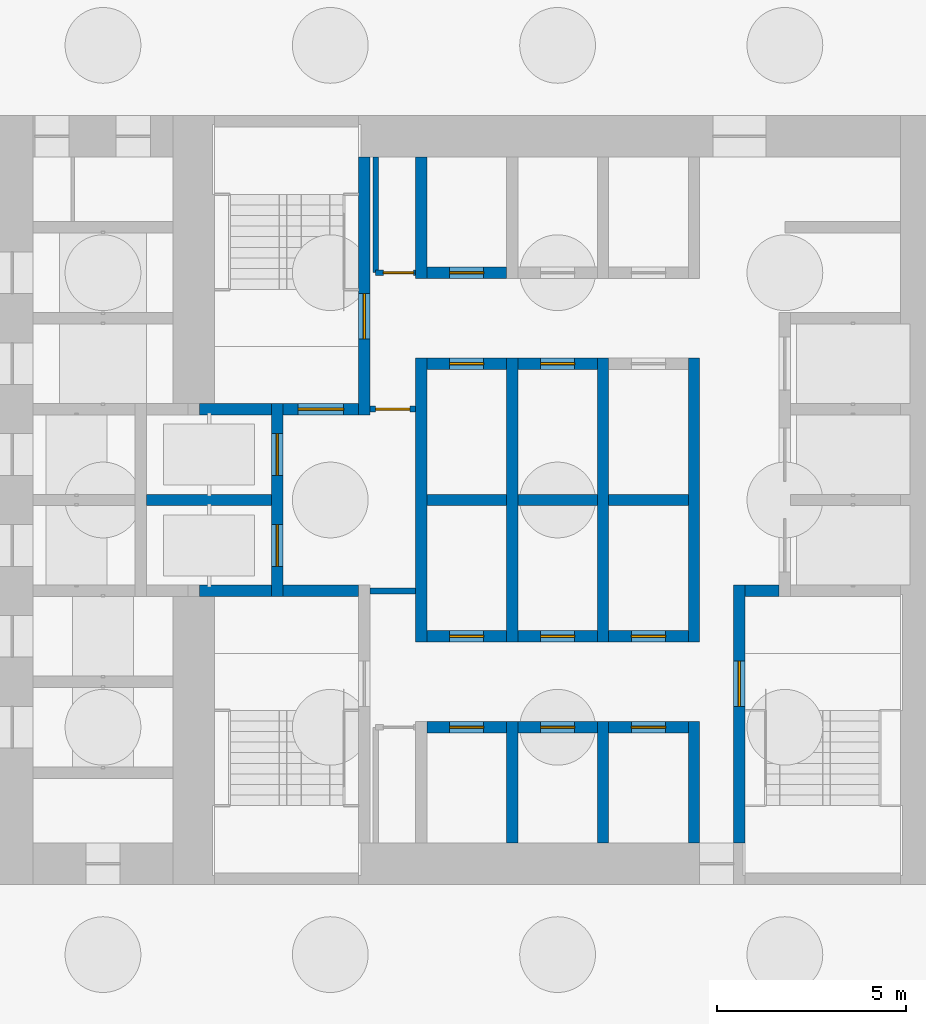
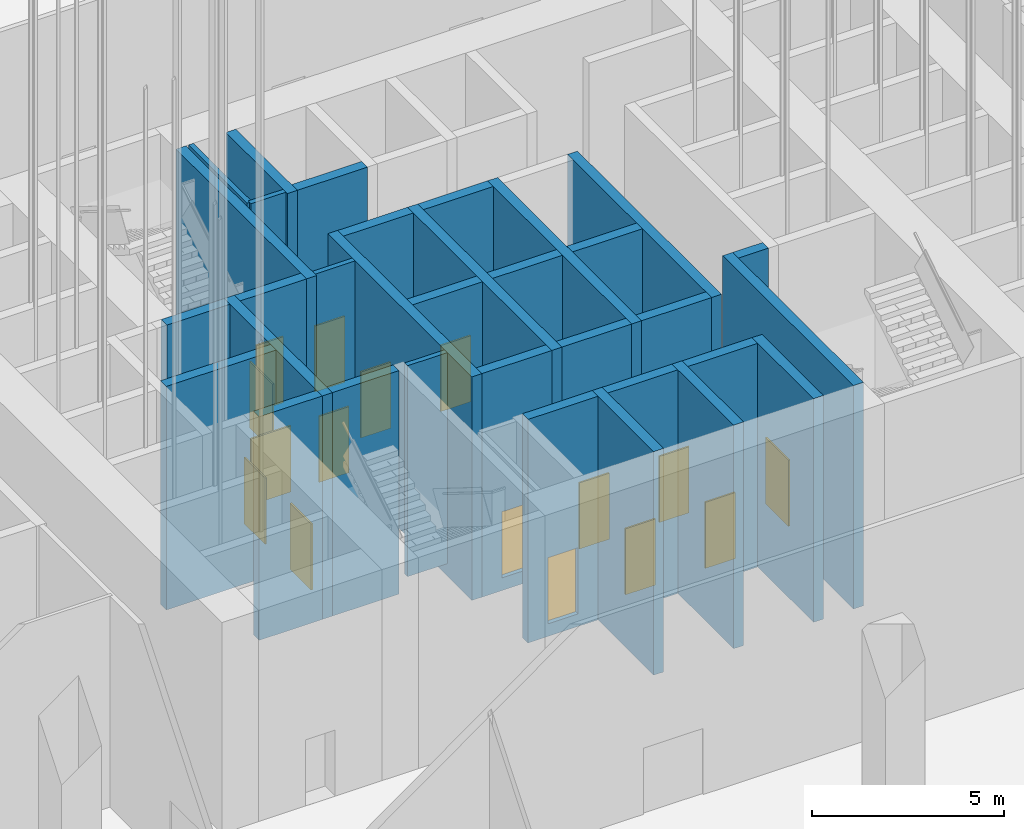
# One storey, part 15 of 68: 33 walls, 16 doors, 16 openings.
"""IFC4 building model written with IfcOpenShell, lengths in metres."""

from ifc_helpers import new_model, si_unit, direction, frame, frame_2d, origin, place, context, subcontext, project, spatial, rectangle, extrude, material, layer, layer_set, type_object, element, fill, save


model = new_model("IFC4")

# Units and contexts
model_context = context("Model", 3, precision=1e-05, world=origin(), true_north=direction((0.0, 1.0)))
body_context = subcontext(model_context, "Body", "Model", "MODEL_VIEW")
ifc_project = project(units=[si_unit("LENGTHUNIT", "METRE"), si_unit("AREAUNIT", "SQUARE_METRE"), si_unit("VOLUMEUNIT", "CUBIC_METRE"), si_unit("PLANEANGLEUNIT", "RADIAN"), si_unit("MASSUNIT", "GRAM", prefix="KILO")], contexts=[model_context])

# Site, building, storey
site_placement = place(None, origin())
site = spatial("IfcSite", under=ifc_project, at=site_placement, CompositionType="ELEMENT")
building_placement = place(site_placement, origin())
building = spatial("IfcBuilding", under=site, at=building_placement, Name="Kolab Exchange Tower", CompositionType="ELEMENT")
storey_placement = place(building_placement, origin())
storey = spatial("IfcBuildingStorey", under=building, at=storey_placement, Name="L00", CompositionType="ELEMENT", Elevation=0.0)

# Wall, opening, door
ifc_material_1 = material(Name="Concrete C50/60", Category="concrete")
ifc_layer_1 = layer(ifc_material_1, 0.300048828125)
ifc_layer_set_1 = layer_set([ifc_layer_1], Name="Concrete C50/60")
wall_type_1 = type_object("IfcWallType", Name="LIFT SHAFT WALL 300 C50/60", PredefinedType="STANDARD", material=ifc_layer_set_1)
wall_1_placement = place(storey_placement, frame((-3.449951171875, -6.0, -0.39990234375), z_axis=(0.0, 0.0, 1.0), x_axis=(1.0, 0.0, 0.0)))
wall_1 = element("IfcWall", 1, at=wall_1_placement, inside=storey, type_object=wall_type_1, Name="wall/L00/core/007", PredefinedType="STANDARD", context=body_context, shape_type="SweptSolid", body=[
    extrude(rectangle(XDim=2.099853515625, YDim=0.300048828125, at=frame_2d((1.0498046875, 0.0))), origin(), (0.0, 0.0, 1.0), 7.099853515625),
])
opening_1_placement = place(wall_1_placement, frame((0.60009765625, 0.0, 0.39990234375)))
opening_1 = element("IfcOpeningElement", 2, at=opening_1_placement, cuts=wall_1, Name="Opening D6-012", PredefinedType="OPENING", context=body_context, shape_type="SweptSolid", body=[
    extrude(rectangle(XDim=0.89990234375, YDim=2.10009765625, at=frame_2d((0.449951171875, 1.050048828125))), frame((0.0, 0.16015625, 0.0), z_axis=(0.0, -1.0, 0.0), x_axis=(1.0, 0.0, 0.0)), (0.0, 0.0, 1.0), 0.320068359375),
])
ifc_material_2 = material(Name="Steel S235", Category="steel")
door_type_1 = type_object("IfcDoorType", Name="CORE DOOR 900 EI 120", OperationType="SINGLE_SWING_LEFT", PredefinedType="DOOR", material=ifc_material_2)
door_1_placement = place(opening_1_placement, frame((0.89990234375, 0.0, 0.0), z_axis=(0.0, 0.0, 1.0), x_axis=(-1.0, 0.0, 0.0)))
door_1 = element("IfcDoor", 3, at=door_1_placement, inside=storey, type_object=door_type_1, Name="Service room door", OperationType="SINGLE_SWING_LEFT", OverallHeight=2.10009765625, OverallWidth=0.89990234375, PredefinedType="DOOR", context=body_context, shape_type="SweptSolid", body=[
    extrude(rectangle(XDim=0.89990234375, YDim=2.10009765625, at=frame_2d((0.449951171875, 1.050048828125))), frame((0.0, 0.02490234375, 0.0), z_axis=(0.0, -1.0, 0.0), x_axis=(1.0, 0.0, 0.0)), (0.0, 0.0, 1.0), 0.050048828125),
])
fill(opening_1, door_1)

wall_2_placement = place(storey_placement, frame((-1.050048828125, -6.0, -0.39990234375), z_axis=(0.0, 0.0, 1.0), x_axis=(1.0, 0.0, 0.0)))
wall_2 = element("IfcWall", 4, at=wall_2_placement, inside=storey, type_object=wall_type_1, Name="wall/L00/core/008", PredefinedType="STANDARD", context=body_context, shape_type="SweptSolid", body=[
    extrude(rectangle(XDim=2.10009765625, YDim=0.300048828125, at=frame_2d((1.050048828125, 0.0))), origin(), (0.0, 0.0, 1.0), 7.099853515625),
])
opening_2_placement = place(wall_2_placement, frame((0.60009765625, 0.0, 0.39990234375)))
opening_2 = element("IfcOpeningElement", 5, at=opening_2_placement, cuts=wall_2, Name="Opening D6-011", PredefinedType="OPENING", context=body_context, shape_type="SweptSolid", body=[
    extrude(rectangle(XDim=0.89990234375, YDim=2.10009765625, at=frame_2d((0.449951171875, 1.050048828125))), frame((0.0, 0.16015625, 0.0), z_axis=(0.0, -1.0, 0.0), x_axis=(1.0, 0.0, 0.0)), (0.0, 0.0, 1.0), 0.320068359375),
])
door_2_placement = place(opening_2_placement, frame((0.89990234375, 0.0, 0.0), z_axis=(0.0, 0.0, 1.0), x_axis=(-1.0, 0.0, 0.0)))
door_2 = element("IfcDoor", 6, at=door_2_placement, inside=storey, type_object=door_type_1, Name="Service room door", OperationType="SINGLE_SWING_LEFT", OverallHeight=2.10009765625, OverallWidth=0.89990234375, PredefinedType="DOOR", context=body_context, shape_type="SweptSolid", body=[
    extrude(rectangle(XDim=0.89990234375, YDim=2.10009765625, at=frame_2d((0.449951171875, 1.050048828125))), frame((0.0, 0.02490234375, 0.0), z_axis=(0.0, -1.0, 0.0), x_axis=(1.0, 0.0, 0.0)), (0.0, 0.0, 1.0), 0.050048828125),
])
fill(opening_2, door_2)

wall_3_placement = place(storey_placement, frame((1.35009765625, -6.0, -0.39990234375), z_axis=(0.0, 0.0, 1.0), x_axis=(1.0, 0.0, 0.0)))
wall_3 = element("IfcWall", 7, at=wall_3_placement, inside=storey, type_object=wall_type_1, Name="wall/L00/core/009", PredefinedType="STANDARD", context=body_context, shape_type="SweptSolid", body=[
    extrude(rectangle(XDim=2.099853515625, YDim=0.300048828125, at=frame_2d((1.0498046875, 0.0))), origin(), (0.0, 0.0, 1.0), 7.099853515625),
])
opening_3_placement = place(wall_3_placement, frame((0.60009765625, 0.0, 0.39990234375)))
opening_3 = element("IfcOpeningElement", 8, at=opening_3_placement, cuts=wall_3, Name="Opening D6-010", PredefinedType="OPENING", context=body_context, shape_type="SweptSolid", body=[
    extrude(rectangle(XDim=0.89990234375, YDim=2.10009765625, at=frame_2d((0.449951171875, 1.050048828125))), frame((0.0, 0.16015625, 0.0), z_axis=(0.0, -1.0, 0.0), x_axis=(1.0, 0.0, 0.0)), (0.0, 0.0, 1.0), 0.320068359375),
])
door_3_placement = place(opening_3_placement, frame((0.89990234375, 0.0, 0.0), z_axis=(0.0, 0.0, 1.0), x_axis=(-1.0, 0.0, 0.0)))
door_3 = element("IfcDoor", 9, at=door_3_placement, inside=storey, type_object=door_type_1, Name="Service room door", OperationType="SINGLE_SWING_RIGHT", OverallHeight=2.10009765625, OverallWidth=0.89990234375, PredefinedType="DOOR", context=body_context, shape_type="SweptSolid", body=[
    extrude(rectangle(XDim=0.89990234375, YDim=2.10009765625, at=frame_2d((0.449951171875, 1.050048828125))), frame((0.0, 0.02490234375, 0.0), z_axis=(0.0, -1.0, 0.0), x_axis=(1.0, 0.0, 0.0)), (0.0, 0.0, 1.0), 0.050048828125),
])
fill(opening_3, door_3)

wall_4_placement = place(storey_placement, frame((-3.449951171875, -3.60009765625, -0.39990234375), z_axis=(0.0, 0.0, 1.0), x_axis=(1.0, 0.0, 0.0)))
wall_4 = element("IfcWall", 10, at=wall_4_placement, inside=storey, type_object=wall_type_1, Name="wall/L00/core/014", PredefinedType="STANDARD", context=body_context, shape_type="SweptSolid", body=[
    extrude(rectangle(XDim=2.099853515625, YDim=0.300048828125, at=frame_2d((1.0498046875, 0.0))), origin(), (0.0, 0.0, 1.0), 7.099853515625),
])
opening_4_placement = place(wall_4_placement, frame((0.60009765625, 0.0, 0.39990234375)))
opening_4 = element("IfcOpeningElement", 11, at=opening_4_placement, cuts=wall_4, Name="Opening D6-009", PredefinedType="OPENING", context=body_context, shape_type="SweptSolid", body=[
    extrude(rectangle(XDim=0.89990234375, YDim=2.10009765625, at=frame_2d((0.449951171875, 1.050048828125))), frame((0.0, 0.16015625, 0.0), z_axis=(0.0, -1.0, 0.0), x_axis=(1.0, 0.0, 0.0)), (0.0, 0.0, 1.0), 0.320068359375),
])
door_4_placement = place(opening_4_placement, origin())
door_4 = element("IfcDoor", 12, at=door_4_placement, inside=storey, type_object=door_type_1, Name="Service room door", OperationType="SINGLE_SWING_LEFT", OverallHeight=2.10009765625, OverallWidth=0.89990234375, PredefinedType="DOOR", context=body_context, shape_type="SweptSolid", body=[
    extrude(rectangle(XDim=0.89990234375, YDim=2.10009765625, at=frame_2d((0.449951171875, 1.050048828125))), frame((0.0, 0.02490234375, 0.0), z_axis=(0.0, -1.0, 0.0), x_axis=(1.0, 0.0, 0.0)), (0.0, 0.0, 1.0), 0.050048828125),
])
fill(opening_4, door_4)

wall_5_placement = place(storey_placement, frame((-1.050048828125, -3.60009765625, -0.39990234375), z_axis=(0.0, 0.0, 1.0), x_axis=(1.0, 0.0, 0.0)))
wall_5 = element("IfcWall", 13, at=wall_5_placement, inside=storey, type_object=wall_type_1, Name="wall/L00/core/015", PredefinedType="STANDARD", context=body_context, shape_type="SweptSolid", body=[
    extrude(rectangle(XDim=2.10009765625, YDim=0.300048828125, at=frame_2d((1.050048828125, 0.0))), origin(), (0.0, 0.0, 1.0), 7.099853515625),
])
opening_5_placement = place(wall_5_placement, frame((0.60009765625, 0.0, 0.39990234375)))
opening_5 = element("IfcOpeningElement", 14, at=opening_5_placement, cuts=wall_5, Name="Opening D6-008", PredefinedType="OPENING", context=body_context, shape_type="SweptSolid", body=[
    extrude(rectangle(XDim=0.89990234375, YDim=2.10009765625, at=frame_2d((0.449951171875, 1.050048828125))), frame((0.0, 0.16015625, 0.0), z_axis=(0.0, -1.0, 0.0), x_axis=(1.0, 0.0, 0.0)), (0.0, 0.0, 1.0), 0.320068359375),
])
door_5_placement = place(opening_5_placement, origin())
door_5 = element("IfcDoor", 15, at=door_5_placement, inside=storey, type_object=door_type_1, Name="Service room door", OperationType="SINGLE_SWING_LEFT", OverallHeight=2.10009765625, OverallWidth=0.89990234375, PredefinedType="DOOR", context=body_context, shape_type="SweptSolid", body=[
    extrude(rectangle(XDim=0.89990234375, YDim=2.10009765625, at=frame_2d((0.449951171875, 1.050048828125))), frame((0.0, 0.02490234375, 0.0), z_axis=(0.0, -1.0, 0.0), x_axis=(1.0, 0.0, 0.0)), (0.0, 0.0, 1.0), 0.050048828125),
])
fill(opening_5, door_5)

wall_6_placement = place(storey_placement, frame((1.35009765625, -3.60009765625, -0.39990234375), z_axis=(0.0, 0.0, 1.0), x_axis=(1.0, 0.0, 0.0)))
wall_6 = element("IfcWall", 16, at=wall_6_placement, inside=storey, type_object=wall_type_1, Name="wall/L00/core/016", PredefinedType="STANDARD", context=body_context, shape_type="SweptSolid", body=[
    extrude(rectangle(XDim=2.099853515625, YDim=0.300048828125, at=frame_2d((1.0498046875, 0.0))), origin(), (0.0, 0.0, 1.0), 7.099853515625),
])
opening_6_placement = place(wall_6_placement, frame((0.60009765625, 0.0, 0.39990234375)))
opening_6 = element("IfcOpeningElement", 17, at=opening_6_placement, cuts=wall_6, Name="Opening D6-007", PredefinedType="OPENING", context=body_context, shape_type="SweptSolid", body=[
    extrude(rectangle(XDim=0.89990234375, YDim=2.10009765625, at=frame_2d((0.449951171875, 1.050048828125))), frame((0.0, 0.16015625, 0.0), z_axis=(0.0, -1.0, 0.0), x_axis=(1.0, 0.0, 0.0)), (0.0, 0.0, 1.0), 0.320068359375),
])
door_6_placement = place(opening_6_placement, origin())
door_6 = element("IfcDoor", 18, at=door_6_placement, inside=storey, type_object=door_type_1, Name="Service room door", OperationType="SINGLE_SWING_RIGHT", OverallHeight=2.10009765625, OverallWidth=0.89990234375, PredefinedType="DOOR", context=body_context, shape_type="SweptSolid", body=[
    extrude(rectangle(XDim=0.89990234375, YDim=2.10009765625, at=frame_2d((0.449951171875, 1.050048828125))), frame((0.0, 0.02490234375, 0.0), z_axis=(0.0, -1.0, 0.0), x_axis=(1.0, 0.0, 0.0)), (0.0, 0.0, 1.0), 0.050048828125),
])
fill(opening_6, door_6)

# Walls
wall_7_placement = place(storey_placement, frame((-10.85009765625, 0.0, -0.39990234375), z_axis=(0.0, 0.0, 1.0), x_axis=(1.0, 0.0, 0.0)))
element("IfcWall", 19, at=wall_7_placement, inside=storey, type_object=wall_type_1, Name="wall/L00/core/025", PredefinedType="STANDARD", context=body_context, shape_type="SweptSolid", body=[
    extrude(rectangle(XDim=3.300048828125, YDim=0.300048828125, at=frame_2d((1.64990234375, 0.0))), origin(), (0.0, 0.0, 1.0), 7.099853515625),
])
wall_8_placement = place(storey_placement, frame((-3.449951171875, 0.0, -0.39990234375), z_axis=(0.0, 0.0, 1.0), x_axis=(1.0, 0.0, 0.0)))
element("IfcWall", 20, at=wall_8_placement, inside=storey, type_object=wall_type_1, Name="wall/L00/core/026", PredefinedType="STANDARD", context=body_context, shape_type="SweptSolid", body=[
    extrude(rectangle(XDim=2.099853515625, YDim=0.300048828125, at=frame_2d((1.0498046875, 0.0))), origin(), (0.0, 0.0, 1.0), 7.099853515625),
])
wall_9_placement = place(storey_placement, frame((-1.050048828125, 0.0, -0.39990234375), z_axis=(0.0, 0.0, 1.0), x_axis=(1.0, 0.0, 0.0)))
element("IfcWall", 21, at=wall_9_placement, inside=storey, type_object=wall_type_1, Name="wall/L00/core/027", PredefinedType="STANDARD", context=body_context, shape_type="SweptSolid", body=[
    extrude(rectangle(XDim=2.10009765625, YDim=0.300048828125, at=frame_2d((1.050048828125, 0.0))), origin(), (0.0, 0.0, 1.0), 7.099853515625),
])
wall_10_placement = place(storey_placement, frame((1.35009765625, 0.0, -0.39990234375), z_axis=(0.0, 0.0, 1.0), x_axis=(1.0, 0.0, 0.0)))
element("IfcWall", 22, at=wall_10_placement, inside=storey, type_object=wall_type_1, Name="wall/L00/core/028", PredefinedType="STANDARD", context=body_context, shape_type="SweptSolid", body=[
    extrude(rectangle(XDim=2.099853515625, YDim=0.300048828125, at=frame_2d((1.0498046875, 0.0))), origin(), (0.0, 0.0, 1.0), 7.099853515625),
])

# Wall, opening, door
wall_11_placement = place(storey_placement, frame((-3.449951171875, 3.60009765625, -0.39990234375), z_axis=(0.0, 0.0, 1.0), x_axis=(1.0, 0.0, 0.0)))
wall_11 = element("IfcWall", 23, at=wall_11_placement, inside=storey, type_object=wall_type_1, Name="wall/L00/core/037", PredefinedType="STANDARD", context=body_context, shape_type="SweptSolid", body=[
    extrude(rectangle(XDim=2.099853515625, YDim=0.300048828125, at=frame_2d((1.0498046875, 0.0))), origin(), (0.0, 0.0, 1.0), 7.099853515625),
])
opening_7_placement = place(wall_11_placement, frame((0.60009765625, 0.0, 0.39990234375)))
opening_7 = element("IfcOpeningElement", 24, at=opening_7_placement, cuts=wall_11, Name="Opening D6-006", PredefinedType="OPENING", context=body_context, shape_type="SweptSolid", body=[
    extrude(rectangle(XDim=0.89990234375, YDim=2.10009765625, at=frame_2d((0.449951171875, 1.050048828125))), frame((0.0, 0.16015625, 0.0), z_axis=(0.0, -1.0, 0.0), x_axis=(1.0, 0.0, 0.0)), (0.0, 0.0, 1.0), 0.320068359375),
])
door_7_placement = place(opening_7_placement, frame((0.89990234375, 0.0, 0.0), z_axis=(0.0, 0.0, 1.0), x_axis=(-1.0, 0.0, 0.0)))
door_7 = element("IfcDoor", 25, at=door_7_placement, inside=storey, type_object=door_type_1, Name="Service room door", OperationType="SINGLE_SWING_LEFT", OverallHeight=2.10009765625, OverallWidth=0.89990234375, PredefinedType="DOOR", context=body_context, shape_type="SweptSolid", body=[
    extrude(rectangle(XDim=0.89990234375, YDim=2.10009765625, at=frame_2d((0.449951171875, 1.050048828125))), frame((0.0, 0.02490234375, 0.0), z_axis=(0.0, -1.0, 0.0), x_axis=(1.0, 0.0, 0.0)), (0.0, 0.0, 1.0), 0.050048828125),
])
fill(opening_7, door_7)

wall_12_placement = place(storey_placement, frame((-1.050048828125, 3.60009765625, -0.39990234375), z_axis=(0.0, 0.0, 1.0), x_axis=(1.0, 0.0, 0.0)))
wall_12 = element("IfcWall", 26, at=wall_12_placement, inside=storey, type_object=wall_type_1, Name="wall/L00/core/038", PredefinedType="STANDARD", context=body_context, shape_type="SweptSolid", body=[
    extrude(rectangle(XDim=2.10009765625, YDim=0.300048828125, at=frame_2d((1.050048828125, 0.0))), origin(), (0.0, 0.0, 1.0), 7.099853515625),
])
opening_8_placement = place(wall_12_placement, frame((0.60009765625, 0.0, 0.39990234375)))
opening_8 = element("IfcOpeningElement", 27, at=opening_8_placement, cuts=wall_12, Name="Opening D6-005", PredefinedType="OPENING", context=body_context, shape_type="SweptSolid", body=[
    extrude(rectangle(XDim=0.89990234375, YDim=2.10009765625, at=frame_2d((0.449951171875, 1.050048828125))), frame((0.0, 0.16015625, 0.0), z_axis=(0.0, -1.0, 0.0), x_axis=(1.0, 0.0, 0.0)), (0.0, 0.0, 1.0), 0.320068359375),
])
door_8_placement = place(opening_8_placement, frame((0.89990234375, 0.0, 0.0), z_axis=(0.0, 0.0, 1.0), x_axis=(-1.0, 0.0, 0.0)))
door_8 = element("IfcDoor", 28, at=door_8_placement, inside=storey, type_object=door_type_1, Name="Service room door", OperationType="SINGLE_SWING_RIGHT", OverallHeight=2.10009765625, OverallWidth=0.89990234375, PredefinedType="DOOR", context=body_context, shape_type="SweptSolid", body=[
    extrude(rectangle(XDim=0.89990234375, YDim=2.10009765625, at=frame_2d((0.449951171875, 1.050048828125))), frame((0.0, 0.02490234375, 0.0), z_axis=(0.0, -1.0, 0.0), x_axis=(1.0, 0.0, 0.0)), (0.0, 0.0, 1.0), 0.050048828125),
])
fill(opening_8, door_8)

wall_13_placement = place(storey_placement, frame((-3.449951171875, 6.0, -0.39990234375), z_axis=(0.0, 0.0, 1.0), x_axis=(1.0, 0.0, 0.0)))
wall_13 = element("IfcWall", 29, at=wall_13_placement, inside=storey, type_object=wall_type_1, Name="wall/L00/core/045", PredefinedType="STANDARD", context=body_context, shape_type="SweptSolid", body=[
    extrude(rectangle(XDim=2.099853515625, YDim=0.300048828125, at=frame_2d((1.0498046875, 0.0))), origin(), (0.0, 0.0, 1.0), 7.099853515625),
])
opening_9_placement = place(wall_13_placement, frame((0.60009765625, 0.0, 0.39990234375)))
opening_9 = element("IfcOpeningElement", 30, at=opening_9_placement, cuts=wall_13, Name="Opening D6-003", PredefinedType="OPENING", context=body_context, shape_type="SweptSolid", body=[
    extrude(rectangle(XDim=0.89990234375, YDim=2.10009765625, at=frame_2d((0.449951171875, 1.050048828125))), frame((0.0, 0.16015625, 0.0), z_axis=(0.0, -1.0, 0.0), x_axis=(1.0, 0.0, 0.0)), (0.0, 0.0, 1.0), 0.320068359375),
])
door_9_placement = place(opening_9_placement, origin())
door_9 = element("IfcDoor", 31, at=door_9_placement, inside=storey, type_object=door_type_1, Name="Service room door", OperationType="SINGLE_SWING_LEFT", OverallHeight=2.10009765625, OverallWidth=0.89990234375, PredefinedType="DOOR", context=body_context, shape_type="SweptSolid", body=[
    extrude(rectangle(XDim=0.89990234375, YDim=2.10009765625, at=frame_2d((0.449951171875, 1.050048828125))), frame((0.0, 0.02490234375, 0.0), z_axis=(0.0, -1.0, 0.0), x_axis=(1.0, 0.0, 0.0)), (0.0, 0.0, 1.0), 0.050048828125),
])
fill(opening_9, door_9)

# Wall, openings, doors
wall_14_placement = place(storey_placement, frame((-7.39990234375, -2.550048828125, -0.39990234375), z_axis=(0.0, 0.0, 1.0), x_axis=(0.0, 1.0, 0.0)))
wall_14 = element("IfcWall", 32, at=wall_14_placement, inside=storey, type_object=wall_type_1, Name="wall/L00/core/063", PredefinedType="STANDARD", context=body_context, shape_type="SweptSolid", body=[
    extrude(rectangle(XDim=5.10009765625, YDim=0.300048828125, at=frame_2d((2.550048828125, 0.0))), origin(), (0.0, 0.0, 1.0), 7.099853515625),
])
opening_10_placement = place(wall_14_placement, frame((0.800048828125, 0.0, 0.39990234375)))
opening_10 = element("IfcOpeningElement", 33, at=opening_10_placement, cuts=wall_14, Name="Opening LD2-001", PredefinedType="OPENING", context=body_context, shape_type="SweptSolid", body=[
    extrude(rectangle(XDim=1.10009765625, YDim=2.10009765625, at=frame_2d((0.550048828125, 1.050048828125))), frame((0.0, 0.16015625, 0.0), z_axis=(0.0, -1.0, 0.0), x_axis=(1.0, 0.0, 0.0)), (0.0, 0.0, 1.0), 0.320068359375),
])
opening_11_placement = place(wall_14_placement, frame((3.199951171875, 0.0, 0.39990234375)))
opening_11 = element("IfcOpeningElement", 34, at=opening_11_placement, cuts=wall_14, Name="Opening LD2-002", PredefinedType="OPENING", context=body_context, shape_type="SweptSolid", body=[
    extrude(rectangle(XDim=1.10009765625, YDim=2.10009765625, at=frame_2d((0.550048828125, 1.050048828125))), frame((0.0, 0.16015625, 0.0), z_axis=(0.0, -1.0, 0.0), x_axis=(1.0, 0.0, 0.0)), (0.0, 0.0, 1.0), 0.320068359375),
])
ifc_material_3 = material(Name="Stainless steel 316", Category="steel")
door_type_2 = type_object("IfcDoorType", Name="LANDING DOOR 1100 FIREFIGHTING", OperationType="DOUBLE_DOOR_SLIDING", PredefinedType="DOOR", material=ifc_material_3)
door_10_placement = place(opening_10_placement, origin())
door_10 = element("IfcDoor", 35, at=door_10_placement, inside=storey, type_object=door_type_2, Name="Landing door FF1", OperationType="DOUBLE_DOOR_SLIDING", OverallHeight=2.10009765625, OverallWidth=1.10009765625, PredefinedType="DOOR", context=body_context, shape_type="SweptSolid", body=[
    extrude(rectangle(XDim=1.10009765625, YDim=2.10009765625, at=frame_2d((0.550048828125, 1.050048828125))), frame((0.0, 0.02490234375, 0.0), z_axis=(0.0, -1.0, 0.0), x_axis=(1.0, 0.0, 0.0)), (0.0, 0.0, 1.0), 0.050048828125),
])
fill(opening_10, door_10)
door_11_placement = place(opening_11_placement, origin())
door_11 = element("IfcDoor", 36, at=door_11_placement, inside=storey, type_object=door_type_2, Name="Landing door FF2", OperationType="DOUBLE_DOOR_SLIDING", OverallHeight=2.10009765625, OverallWidth=1.10009765625, PredefinedType="DOOR", context=body_context, shape_type="SweptSolid", body=[
    extrude(rectangle(XDim=1.10009765625, YDim=2.10009765625, at=frame_2d((0.550048828125, 1.050048828125))), frame((0.0, 0.02490234375, 0.0), z_axis=(0.0, -1.0, 0.0), x_axis=(1.0, 0.0, 0.0)), (0.0, 0.0, 1.0), 0.050048828125),
])
fill(opening_11, door_11)

# Walls
wall_15_placement = place(storey_placement, frame((-3.60009765625, -3.75, -0.39990234375), z_axis=(0.0, 0.0, 1.0), x_axis=(0.0, 1.0, 0.0)))
element("IfcWall", 37, at=wall_15_placement, inside=storey, type_object=wall_type_1, Name="wall/L00/core/067", PredefinedType="STANDARD", context=body_context, shape_type="SweptSolid", body=[
    extrude(rectangle(XDim=7.5, YDim=0.300048828125, at=frame_2d((3.75, 0.0))), origin(), (0.0, 0.0, 1.0), 7.099853515625),
])
for number, where, z_axis, x_axis, name in (
    (38, (-3.60009765625, 5.85009765625, -0.39990234375), (0.0, 0.0, 1.0), (0.0, 1.0, 0.0), "wall/L00/core/068"),
    (39, (-1.199951171875, -9.050048828125, -0.39990234375), (0.0, 0.0, 1.0), (0.0, 1.0, 0.0), "wall/L00/core/069"),
):
    element("IfcWall", number, at=place(storey_placement, frame(where, z_axis=z_axis, x_axis=x_axis)), inside=storey, type_object=wall_type_1, Name=name, PredefinedType="STANDARD", context=body_context, shape_type="SweptSolid", body=[
        extrude(rectangle(XDim=3.199951171875, YDim=0.300048828125, at=frame_2d((1.60009765625, 0.0))), origin(), (0.0, 0.0, 1.0), 7.099853515625),
    ])
wall_16_placement = place(storey_placement, frame((-1.199951171875, -3.75, -0.39990234375), z_axis=(0.0, 0.0, 1.0), x_axis=(0.0, 1.0, 0.0)))
element("IfcWall", 40, at=wall_16_placement, inside=storey, type_object=wall_type_1, Name="wall/L00/core/070", PredefinedType="STANDARD", context=body_context, shape_type="SweptSolid", body=[
    extrude(rectangle(XDim=7.5, YDim=0.300048828125, at=frame_2d((3.75, 0.0))), origin(), (0.0, 0.0, 1.0), 7.099853515625),
])
wall_17_placement = place(storey_placement, frame((1.199951171875, -9.050048828125, -0.39990234375), z_axis=(0.0, 0.0, 1.0), x_axis=(0.0, 1.0, 0.0)))
element("IfcWall", 41, at=wall_17_placement, inside=storey, type_object=wall_type_1, Name="wall/L00/core/072", PredefinedType="STANDARD", context=body_context, shape_type="SweptSolid", body=[
    extrude(rectangle(XDim=3.199951171875, YDim=0.300048828125, at=frame_2d((1.60009765625, 0.0))), origin(), (0.0, 0.0, 1.0), 7.099853515625),
])
wall_18_placement = place(storey_placement, frame((1.199951171875, -3.75, -0.39990234375), z_axis=(0.0, 0.0, 1.0), x_axis=(0.0, 1.0, 0.0)))
element("IfcWall", 42, at=wall_18_placement, inside=storey, type_object=wall_type_1, Name="wall/L00/core/073", PredefinedType="STANDARD", context=body_context, shape_type="SweptSolid", body=[
    extrude(rectangle(XDim=7.5, YDim=0.300048828125, at=frame_2d((3.75, 0.0))), origin(), (0.0, 0.0, 1.0), 7.099853515625),
])
wall_19_placement = place(storey_placement, frame((3.60009765625, -9.050048828125, -0.39990234375), z_axis=(0.0, 0.0, 1.0), x_axis=(0.0, 1.0, 0.0)))
element("IfcWall", 43, at=wall_19_placement, inside=storey, type_object=wall_type_1, Name="wall/L00/core/075", PredefinedType="STANDARD", context=body_context, shape_type="SweptSolid", body=[
    extrude(rectangle(XDim=3.199951171875, YDim=0.300048828125, at=frame_2d((1.60009765625, 0.0))), origin(), (0.0, 0.0, 1.0), 7.099853515625),
])
wall_20_placement = place(storey_placement, frame((3.60009765625, -3.75, -0.39990234375), z_axis=(0.0, 0.0, 1.0), x_axis=(0.0, 1.0, 0.0)))
element("IfcWall", 44, at=wall_20_placement, inside=storey, type_object=wall_type_1, Name="wall/L00/core/076", PredefinedType="STANDARD", context=body_context, shape_type="SweptSolid", body=[
    extrude(rectangle(XDim=7.5, YDim=0.300048828125, at=frame_2d((3.75, 0.0))), origin(), (0.0, 0.0, 1.0), 7.099853515625),
])
ifc_material_4 = material(Name="Gypsum board", Category="gypsum")
ifc_layer_2 = layer(ifc_material_4, 0.14990234375)
ifc_layer_set_2 = layer_set([ifc_layer_2], Name="Gypsum board")
wall_type_2 = type_object("IfcWallType", Name="PARTITION 150 FIRE-RATED", PredefinedType="PARTITIONING", material=ifc_layer_set_2)
wall_21_placement = place(storey_placement, frame((-4.800048828125, 6.0, 0.0), z_axis=(0.0, 0.0, 1.0), x_axis=(0.0, 1.0, 0.0)))
element("IfcWall", 45, at=wall_21_placement, inside=storey, type_object=wall_type_2, Name="Partition 016", PredefinedType="PARTITIONING", context=body_context, shape_type="SweptSolid", body=[
    extrude(rectangle(XDim=3.050048828125, YDim=0.14990234375, at=frame_2d((1.52490234375, 0.0))), origin(), (0.0, 0.0, 1.0), 6.699951171875),
])

# Wall, opening, door
wall_22_placement = place(storey_placement, frame((-4.800048828125, 6.0, 0.0), z_axis=(0.0, 0.0, 1.0), x_axis=(1.0, 0.0, 0.0)))
wall_22 = element("IfcWall", 46, at=wall_22_placement, inside=storey, type_object=wall_type_2, Name="Partition 035", PredefinedType="PARTITIONING", context=body_context, shape_type="SweptSolid", body=[
    extrude(rectangle(XDim=1.050048828125, YDim=0.14990234375, at=frame_2d((0.52490234375, 0.0))), origin(), (0.0, 0.0, 1.0), 6.699951171875),
])
opening_12_placement = place(wall_22_placement, frame((0.199951171875, 0.0, 0.0)))
opening_12 = element("IfcOpeningElement", 47, at=opening_12_placement, cuts=wall_22, Name="Opening D7-001", PredefinedType="OPENING", context=body_context, shape_type="SweptSolid", body=[
    extrude(rectangle(XDim=0.800048828125, YDim=2.10009765625, at=frame_2d((0.39990234375, 1.050048828125))), frame((0.0, 0.0849609375, 0.0), z_axis=(0.0, -1.0, 0.0), x_axis=(1.0, 0.0, 0.0)), (0.0, 0.0, 1.0), 0.169921875),
])
door_type_3 = type_object("IfcDoorType", Name="FLUSH DOOR 800 FD60", OperationType="SINGLE_SWING_LEFT", PredefinedType="DOOR", material=ifc_material_2)
door_12_placement = place(opening_12_placement, origin())
door_12 = element("IfcDoor", 48, at=door_12_placement, inside=storey, type_object=door_type_3, Name="Door L00-040", OperationType="SINGLE_SWING_RIGHT", OverallHeight=2.10009765625, OverallWidth=0.800048828125, PredefinedType="DOOR", context=body_context, shape_type="SweptSolid", body=[
    extrude(rectangle(XDim=0.800048828125, YDim=2.10009765625, at=frame_2d((0.39990234375, 1.050048828125))), frame((0.0, 0.02490234375, 0.0), z_axis=(0.0, -1.0, 0.0), x_axis=(1.0, 0.0, 0.0)), (0.0, 0.0, 1.0), 0.050048828125),
])
fill(opening_12, door_12)

wall_23_placement = place(storey_placement, frame((-4.949951171875, 2.39990234375, 0.0), z_axis=(0.0, 0.0, 1.0), x_axis=(1.0, 0.0, 0.0)))
wall_23 = element("IfcWall", 49, at=wall_23_placement, inside=storey, type_object=wall_type_2, Name="Fire partition", PredefinedType="PARTITIONING", context=body_context, shape_type="SweptSolid", body=[
    extrude(rectangle(XDim=1.199951171875, YDim=0.14990234375, at=frame_2d((0.60009765625, 0.0))), origin(), (0.0, 0.0, 1.0), 6.699951171875),
])
opening_13_placement = place(wall_23_placement, frame((0.14990234375, 0.0, 0.0)))
opening_13 = element("IfcOpeningElement", 50, at=opening_13_placement, cuts=wall_23, Name="Opening D6-014", PredefinedType="OPENING", context=body_context, shape_type="SweptSolid", body=[
    extrude(rectangle(XDim=0.89990234375, YDim=2.10009765625, at=frame_2d((0.449951171875, 1.050048828125))), frame((0.0, 0.0849609375, 0.0), z_axis=(0.0, -1.0, 0.0), x_axis=(1.0, 0.0, 0.0)), (0.0, 0.0, 1.0), 0.169921875),
])
door_13_placement = place(opening_13_placement, frame((0.89990234375, 0.0, 0.0), z_axis=(0.0, 0.0, 1.0), x_axis=(-1.0, 0.0, 0.0)))
door_13 = element("IfcDoor", 51, at=door_13_placement, inside=storey, type_object=door_type_1, Name="Firefighting lobby door", OperationType="SINGLE_SWING_RIGHT", OverallHeight=2.10009765625, OverallWidth=0.89990234375, PredefinedType="DOOR", context=body_context, shape_type="SweptSolid", body=[
    extrude(rectangle(XDim=0.89990234375, YDim=2.10009765625, at=frame_2d((0.449951171875, 1.050048828125))), frame((0.0, 0.02490234375, 0.0), z_axis=(0.0, -1.0, 0.0), x_axis=(1.0, 0.0, 0.0)), (0.0, 0.0, 1.0), 0.050048828125),
])
fill(opening_13, door_13)

# Walls
wall_24_placement = place(storey_placement, frame((-4.949951171875, -2.39990234375, 0.0), z_axis=(0.0, 0.0, 1.0), x_axis=(1.0, 0.0, 0.0)))
element("IfcWall", 52, at=wall_24_placement, inside=storey, type_object=wall_type_2, Name="Fire partition", PredefinedType="PARTITIONING", context=body_context, shape_type="SweptSolid", body=[
    extrude(rectangle(XDim=1.199951171875, YDim=0.14990234375, at=frame_2d((0.60009765625, 0.0))), origin(), (0.0, 0.0, 1.0), 6.699951171875),
])
ifc_layer_3 = layer(ifc_material_1, 0.300048828125)
ifc_layer_set_3 = layer_set([ifc_layer_3], Name="Concrete C50/60")
wall_type_3 = type_object("IfcWallType", Name="STAIR ENCLOSURE WALL 300 C50/60", PredefinedType="STANDARD", material=ifc_layer_set_3)
wall_25_placement = place(storey_placement, frame((-9.449951171875, -2.39990234375, -0.39990234375), z_axis=(0.0, 0.0, 1.0), x_axis=(1.0, 0.0, 0.0)))
element("IfcWall", 53, at=wall_25_placement, inside=storey, type_object=wall_type_3, Name="wall/L00/core/019", PredefinedType="STANDARD", context=body_context, shape_type="SweptSolid", body=[
    extrude(rectangle(XDim=1.89990234375, YDim=0.300048828125, at=frame_2d((0.949951171875, 0.0))), origin(), (0.0, 0.0, 1.0), 7.099853515625),
])
wall_26_placement = place(storey_placement, frame((-7.25, -2.39990234375, -0.39990234375), z_axis=(0.0, 0.0, 1.0), x_axis=(1.0, 0.0, 0.0)))
element("IfcWall", 54, at=wall_26_placement, inside=storey, type_object=wall_type_3, Name="wall/L00/core/020", PredefinedType="STANDARD", context=body_context, shape_type="SweptSolid", body=[
    extrude(rectangle(XDim=2.0, YDim=0.300048828125, at=frame_2d((1.0, 0.0))), origin(), (0.0, 0.0, 1.0), 7.099853515625),
])
wall_27_placement = place(storey_placement, frame((4.949951171875, -2.39990234375, -0.39990234375), z_axis=(0.0, 0.0, 1.0), x_axis=(1.0, 0.0, 0.0)))
element("IfcWall", 55, at=wall_27_placement, inside=storey, type_object=wall_type_3, Name="wall/L00/core/021", PredefinedType="STANDARD", context=body_context, shape_type="SweptSolid", body=[
    extrude(rectangle(XDim=0.900146484375, YDim=0.300048828125, at=frame_2d((0.4501953125, 0.0))), origin(), (0.0, 0.0, 1.0), 7.099853515625),
])
wall_28_placement = place(storey_placement, frame((-9.449951171875, 2.39990234375, -0.39990234375), z_axis=(0.0, 0.0, 1.0), x_axis=(1.0, 0.0, 0.0)))
element("IfcWall", 56, at=wall_28_placement, inside=storey, type_object=wall_type_3, Name="wall/L00/core/033", PredefinedType="STANDARD", context=body_context, shape_type="SweptSolid", body=[
    extrude(rectangle(XDim=1.89990234375, YDim=0.300048828125, at=frame_2d((0.949951171875, 0.0))), origin(), (0.0, 0.0, 1.0), 7.099853515625),
])

# Wall, opening, door
wall_29_placement = place(storey_placement, frame((-7.25, 2.39990234375, -0.39990234375), z_axis=(0.0, 0.0, 1.0), x_axis=(1.0, 0.0, 0.0)))
wall_29 = element("IfcWall", 57, at=wall_29_placement, inside=storey, type_object=wall_type_3, Name="wall/L00/core/034", PredefinedType="STANDARD", context=body_context, shape_type="SweptSolid", body=[
    extrude(rectangle(XDim=2.0, YDim=0.300048828125, at=frame_2d((1.0, 0.0))), origin(), (0.0, 0.0, 1.0), 7.099853515625),
])
opening_14_placement = place(wall_29_placement, frame((0.39990234375, 0.0, 0.39990234375)))
opening_14 = element("IfcOpeningElement", 58, at=opening_14_placement, cuts=wall_29, Name="Opening D4-001", PredefinedType="OPENING", context=body_context, shape_type="SweptSolid", body=[
    extrude(rectangle(XDim=1.199951171875, YDim=2.10009765625, at=frame_2d((0.60009765625, 1.050048828125))), frame((0.0, 0.16015625, 0.0), z_axis=(0.0, -1.0, 0.0), x_axis=(1.0, 0.0, 0.0)), (0.0, 0.0, 1.0), 0.320068359375),
])
door_type_4 = type_object("IfcDoorType", Name="STAIR DOOR 1200 EI 120", OperationType="SINGLE_SWING_LEFT", PredefinedType="DOOR", material=ifc_material_2)
door_14_placement = place(opening_14_placement, origin())
door_14 = element("IfcDoor", 59, at=door_14_placement, inside=storey, type_object=door_type_4, Name="Stair 1 door", OperationType="SINGLE_SWING_RIGHT", OverallHeight=2.10009765625, OverallWidth=1.199951171875, PredefinedType="DOOR", context=body_context, shape_type="SweptSolid", body=[
    extrude(rectangle(XDim=1.199951171875, YDim=2.10009765625, at=frame_2d((0.60009765625, 1.050048828125))), frame((0.0, 0.02490234375, 0.0), z_axis=(0.0, -1.0, 0.0), x_axis=(1.0, 0.0, 0.0)), (0.0, 0.0, 1.0), 0.050048828125),
])
fill(opening_14, door_14)

wall_30_placement = place(storey_placement, frame((-5.10009765625, 2.25, -0.39990234375), z_axis=(0.0, 0.0, 1.0), x_axis=(0.0, 1.0, 0.0)))
wall_30 = element("IfcWall", 60, at=wall_30_placement, inside=storey, type_object=wall_type_3, Name="wall/L00/core/065", PredefinedType="STANDARD", context=body_context, shape_type="SweptSolid", body=[
    extrude(rectangle(XDim=6.800048828125, YDim=0.300048828125, at=frame_2d((3.39990234375, 0.0))), origin(), (0.0, 0.0, 1.0), 7.099853515625),
])
opening_15_placement = place(wall_30_placement, frame((2.0, 0.0, 0.39990234375)))
opening_15 = element("IfcOpeningElement", 61, at=opening_15_placement, cuts=wall_30, Name="Opening D4-002", PredefinedType="OPENING", context=body_context, shape_type="SweptSolid", body=[
    extrude(rectangle(XDim=1.199951171875, YDim=2.10009765625, at=frame_2d((0.60009765625, 1.050048828125))), frame((0.0, 0.16015625, 0.0), z_axis=(0.0, -1.0, 0.0), x_axis=(1.0, 0.0, 0.0)), (0.0, 0.0, 1.0), 0.320068359375),
])
door_15_placement = place(opening_15_placement, origin())
door_15 = element("IfcDoor", 62, at=door_15_placement, inside=storey, type_object=door_type_4, Name="Stair 1 door", OperationType="SINGLE_SWING_LEFT", OverallHeight=2.10009765625, OverallWidth=1.199951171875, PredefinedType="DOOR", context=body_context, shape_type="SweptSolid", body=[
    extrude(rectangle(XDim=1.199951171875, YDim=2.10009765625, at=frame_2d((0.60009765625, 1.050048828125))), frame((0.0, 0.02490234375, 0.0), z_axis=(0.0, -1.0, 0.0), x_axis=(1.0, 0.0, 0.0)), (0.0, 0.0, 1.0), 0.050048828125),
])
fill(opening_15, door_15)

wall_31_placement = place(storey_placement, frame((4.800048828125, -9.050048828125, -0.39990234375), z_axis=(0.0, 0.0, 1.0), x_axis=(0.0, 1.0, 0.0)))
wall_31 = element("IfcWall", 63, at=wall_31_placement, inside=storey, type_object=wall_type_3, Name="wall/L00/core/078", PredefinedType="STANDARD", context=body_context, shape_type="SweptSolid", body=[
    extrude(rectangle(XDim=6.800048828125, YDim=0.300048828125, at=frame_2d((3.39990234375, 0.0))), origin(), (0.0, 0.0, 1.0), 7.099853515625),
])
opening_16_placement = place(wall_31_placement, frame((3.60009765625, 0.0, 0.39990234375)))
opening_16 = element("IfcOpeningElement", 64, at=opening_16_placement, cuts=wall_31, Name="Opening D4-003", PredefinedType="OPENING", context=body_context, shape_type="SweptSolid", body=[
    extrude(rectangle(XDim=1.199951171875, YDim=2.10009765625, at=frame_2d((0.60009765625, 1.050048828125))), frame((0.0, 0.16015625, 0.0), z_axis=(0.0, -1.0, 0.0), x_axis=(1.0, 0.0, 0.0)), (0.0, 0.0, 1.0), 0.320068359375),
])
door_16_placement = place(opening_16_placement, frame((1.199951171875, 0.0, 0.0), z_axis=(0.0, 0.0, 1.0), x_axis=(-1.0, 0.0, 0.0)))
door_16 = element("IfcDoor", 65, at=door_16_placement, inside=storey, type_object=door_type_4, Name="Stair 2 door", OperationType="SINGLE_SWING_RIGHT", OverallHeight=2.10009765625, OverallWidth=1.199951171875, PredefinedType="DOOR", context=body_context, shape_type="SweptSolid", body=[
    extrude(rectangle(XDim=1.199951171875, YDim=2.10009765625, at=frame_2d((0.60009765625, 1.050048828125))), frame((0.0, 0.02490234375, 0.0), z_axis=(0.0, -1.0, 0.0), x_axis=(1.0, 0.0, 0.0)), (0.0, 0.0, 1.0), 0.050048828125),
])
fill(opening_16, door_16)

save(model, "model.ifc")
